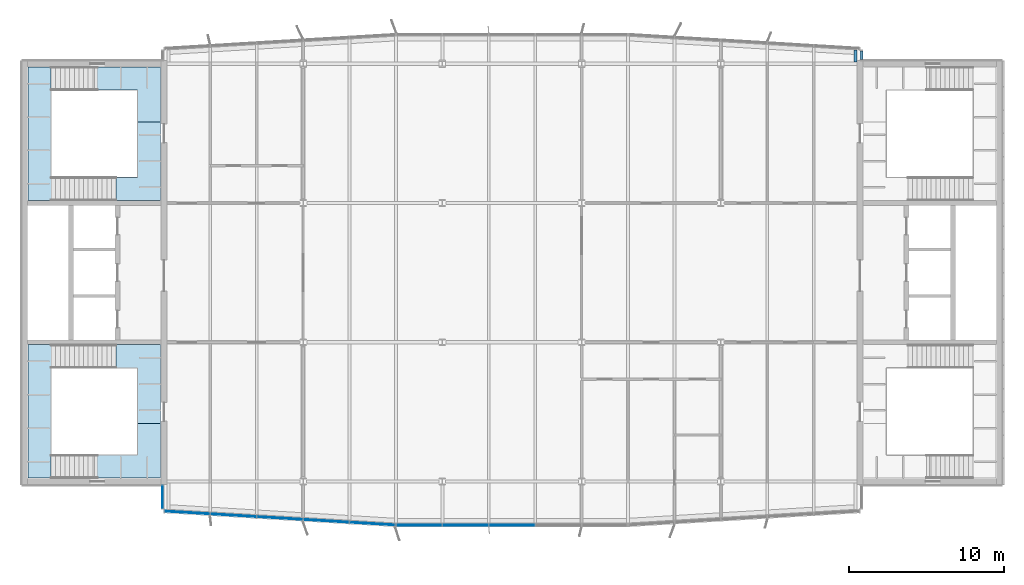
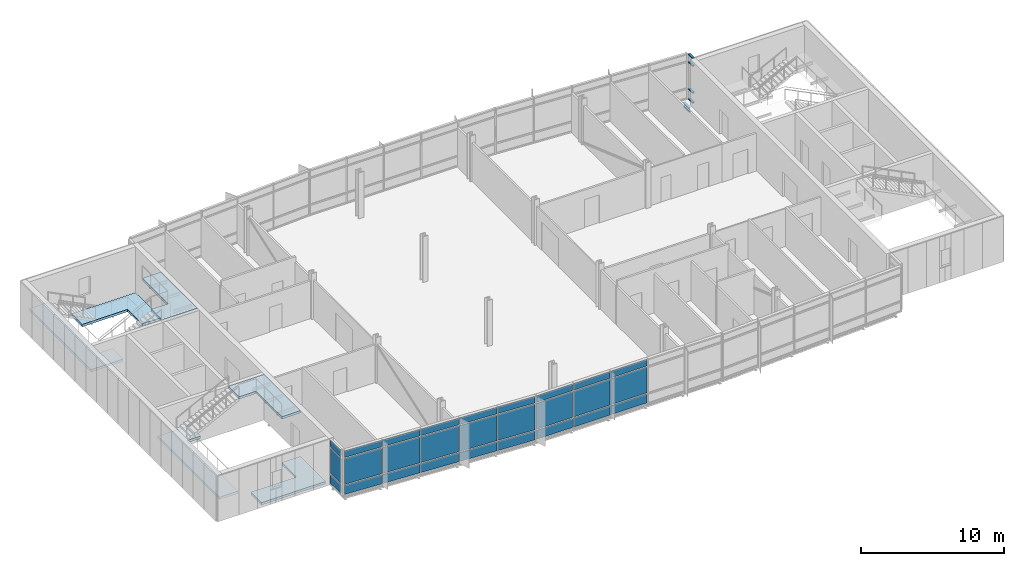
# One storey, part 10 of 21: 27 plates, 6 slabs, 4 members, 1 beam, 6 elements without a shape of their own.
"""IFC4 building model written with IfcOpenShell, lengths in metres."""

from ifc_helpers import new_model, si_unit, direction, frame, origin, origin_2d, place, context, subcontext, project, spatial, polyline, rectangle, i_section, outline, extrude, material, layer, layer_set, material_profile, profile_set, type_object, element, aggregate, save


model = new_model("IFC4")

# Units and contexts
model_context = context("Model", 3, precision=1e-05, world=origin(), true_north=direction((0.0, 1.0)))
body_context = subcontext(model_context, "Body", "Model", "MODEL_VIEW")
ifc_project = project(units=[si_unit("LENGTHUNIT", "METRE"), si_unit("AREAUNIT", "SQUARE_METRE"), si_unit("VOLUMEUNIT", "CUBIC_METRE"), si_unit("PLANEANGLEUNIT", "RADIAN"), si_unit("MASSUNIT", "GRAM", prefix="KILO")], contexts=[model_context])

# Site, building, storey
site_placement = place(None, origin())
site = spatial("IfcSite", under=ifc_project, at=site_placement, CompositionType="ELEMENT")
building_placement = place(site_placement, origin())
building = spatial("IfcBuilding", under=site, at=building_placement, Name="Azimuth Sports and Learning Centre", CompositionType="ELEMENT")
storey_placement = place(building_placement, frame((0.0, 0.0, 32.39990234375)))
storey = spatial("IfcBuildingStorey", under=building, at=storey_placement, Name="L06", CompositionType="ELEMENT", Elevation=32.39990234375)

# Beam
ifc_material_1 = material(Name="Steel S355", Category="steel")
ifc_material_profile_1 = material_profile(ifc_material_1, i_section(OverallWidth=0.179931640625, OverallDepth=0.39990234375, WebThickness=0.008544921875, FlangeThickness=0.013427734375, FilletRadius=0.02099609375, at=origin_2d()), Name="IPE 400")
ifc_profile_set_1 = profile_set([ifc_material_profile_1], Name="Steel S355")
beam_type = type_object("IfcBeamType", Name="Cantilever stub IPE 400", PredefinedType="JOIST", material=ifc_profile_set_1)
beam_placement = place(storey_placement, frame((107.7099609375, 117.110107421875, -0.329833984375), z_axis=(0.0, 1.0, 0.0), x_axis=(-1.0, 0.0, 0.0)))
element("IfcBeam", 1, at=beam_placement, inside=storey, type_object=beam_type, Name="Tower cantilever stub", PredefinedType="JOIST", context=body_context, shape_type="SweptSolid", body=[
    extrude(i_section(OverallWidth=0.179931640625, OverallDepth=0.39990234375, WebThickness=0.008544921875, FlangeThickness=0.013427734375, FilletRadius=0.02099609375, at=origin_2d()), origin(), (0.0, 0.0, 1.0), 0.787353515625),
])

# Curtain wall, members
ifc_material_2 = material(Name="Aluminium and glass", Category="aluminium")
curtain_wall_type_1 = type_object("IfcCurtainWallType", Name="Curtain wall tower return 180", PredefinedType="NOTDEFINED", material=ifc_material_2)
curtain_wall_1_placement = place(storey_placement, origin())
curtain_wall_1 = element("IfcCurtainWall", 2, at=curtain_wall_1_placement, inside=storey, type_object=curtain_wall_type_1, Name="Curtain wall CW06-006", PredefinedType="NOTDEFINED")
ifc_material_3 = material(Name="Aluminium", Category="aluminium")
ifc_material_profile_2 = material_profile(ifc_material_3, rectangle(XDim=0.179931640625, YDim=0.10009765625, at=origin_2d()), Name="Transom 100x180")
ifc_profile_set_2 = profile_set([ifc_material_profile_2], Name="Aluminium")
member_type = type_object("IfcMemberType", Name="Transom 100x180", PredefinedType="USERDEFINED", material=ifc_profile_set_2)
member_1_placement = place(storey_placement, frame((108.090087890625, 117.260009765625, 0.050048828125), z_axis=(0.0, 1.0, 0.0), x_axis=(-1.0, 0.0, 0.0)))
member_1 = element("IfcMember", 3, at=member_1_placement, type_object=member_type, Name="CW06-006 transom 1.1", ObjectType="TRANSOM", PredefinedType="USERDEFINED", context=body_context, shape_type="SweptSolid", body=[
    extrude(rectangle(XDim=0.179931640625, YDim=0.10009765625, at=origin_2d()), origin(), (0.0, 0.0, 1.0), 0.580078125),
])
member_2_placement = place(storey_placement, frame((108.090087890625, 117.260009765625, 0.900146484375), z_axis=(0.0, 1.0, 0.0), x_axis=(-1.0, 0.0, 0.0)))
member_2 = element("IfcMember", 4, at=member_2_placement, type_object=member_type, Name="CW06-006 transom 1.2", ObjectType="TRANSOM", PredefinedType="USERDEFINED", context=body_context, shape_type="SweptSolid", body=[
    extrude(rectangle(XDim=0.179931640625, YDim=0.10009765625, at=origin_2d()), origin(), (0.0, 0.0, 1.0), 0.580078125),
])
member_3_placement = place(storey_placement, frame((108.090087890625, 117.260009765625, 3.2001953125), z_axis=(0.0, 1.0, 0.0), x_axis=(-1.0, 0.0, 0.0)))
member_3 = element("IfcMember", 5, at=member_3_placement, type_object=member_type, Name="CW06-006 transom 1.3", ObjectType="TRANSOM", PredefinedType="USERDEFINED", context=body_context, shape_type="SweptSolid", body=[
    extrude(rectangle(XDim=0.179931640625, YDim=0.10009765625, at=origin_2d()), origin(), (0.0, 0.0, 1.0), 0.580078125),
])
member_4_placement = place(storey_placement, frame((108.090087890625, 117.260009765625, 3.85009765625), z_axis=(0.0, 1.0, 0.0), x_axis=(-1.0, 0.0, 0.0)))
member_4 = element("IfcMember", 6, at=member_4_placement, type_object=member_type, Name="CW06-006 transom 1.4", ObjectType="TRANSOM", PredefinedType="USERDEFINED", context=body_context, shape_type="SweptSolid", body=[
    extrude(rectangle(XDim=0.179931640625, YDim=0.10009765625, at=origin_2d()), origin(), (0.0, 0.0, 1.0), 0.580078125),
])
aggregate(curtain_wall_1, [member_1, member_2, member_3, member_4])

# Stair, slabs
ifc_material_4 = material(Name="Concrete C32/40", Category="concrete")
stair_type = type_object("IfcStairType", Name="Square-well stair core 3900 storey", PredefinedType="THREE_QUARTER_TURN_STAIR", material=ifc_material_4)
stair_1_placement = place(storey_placement, origin())
stair_1 = element("IfcStair", 7, at=stair_1_placement, inside=storey, type_object=stair_type, Name="Stair W1 L06-L07", PredefinedType="THREE_QUARTER_TURN_STAIR")
ifc_material_5 = material(Name="Concrete C32/40", Category="concrete")
ifc_layer_1 = layer(ifc_material_5, 0.199951171875)
ifc_layer_set_1 = layer_set([ifc_layer_1], Name="Concrete C32/40")
slab_type = type_object("IfcSlabType", Name="Concrete stair landing", PredefinedType="LANDING", material=ifc_layer_set_1)
slab_1_placement = place(storey_placement, frame((0.0, 0.0, -0.199951171875)))
slab_1 = element("IfcSlab", 8, at=slab_1_placement, type_object=slab_type, Name="Stair W1 L06 landing 1", PredefinedType="LANDING", context=body_context, shape_type="SweptSolid", body=[
    extrude(outline(polyline([(62.7900390625, 90.2099609375), (62.7900390625, 93.75), (61.2900390625, 93.75), (61.2900390625, 91.7099609375), (57.610107421875, 91.7099609375), (57.610107421875, 90.2099609375), (62.7900390625, 90.2099609375)])), origin(), (0.0, 0.0, 1.0), 0.199951171875),
])
slab_2_placement = place(storey_placement, frame((0.0, 0.0, 1.4501953125)))
slab_2 = element("IfcSlab", 9, at=slab_2_placement, type_object=slab_type, Name="Stair W1 L06 landing 2", PredefinedType="LANDING", context=body_context, shape_type="SweptSolid", body=[
    extrude(outline(polyline([(55.7099609375, 91.7099609375), (55.7099609375, 97.340087890625), (56.81005859375, 97.340087890625), (56.81005859375, 98.840087890625), (54.2099609375, 98.840087890625), (54.2099609375, 90.2099609375), (55.710693359375, 90.2099609375), (55.710693359375, 91.7099609375), (55.7099609375, 91.7099609375)])), origin(), (0.0, 0.0, 1.0), 0.199951171875),
])
slab_3_placement = place(storey_placement, frame((0.0, 0.0, 3.7001953125)))
slab_3 = element("IfcSlab", 10, at=slab_3_placement, type_object=slab_type, Name="Stair W1 L06 landing 3", PredefinedType="LANDING", context=body_context, shape_type="SweptSolid", body=[
    extrude(outline(polyline([(61.2900390625, 97.340087890625), (61.2900390625, 93.75), (62.7900390625, 93.75), (62.7900390625, 98.840087890625), (59.9091796875, 98.840087890625), (59.9091796875, 97.340087890625), (61.2900390625, 97.340087890625)])), origin(), (0.0, 0.0, 1.0), 0.199951171875),
])
aggregate(stair_1, [slab_1, slab_2, slab_3])

stair_2_placement = place(storey_placement, origin())
stair_2 = element("IfcStair", 11, at=stair_2_placement, inside=storey, type_object=stair_type, Name="Stair W2 L06-L07", PredefinedType="THREE_QUARTER_TURN_STAIR")
slab_4_placement = place(storey_placement, frame((0.0, 0.0, -0.199951171875)))
slab_4 = element("IfcSlab", 12, at=slab_4_placement, type_object=slab_type, Name="Stair W2 L06 landing 1", PredefinedType="LANDING", context=body_context, shape_type="SweptSolid", body=[
    extrude(outline(polyline([(57.610107421875, 115.2900390625), (61.2900390625, 115.2900390625), (61.2900390625, 113.25), (62.7900390625, 113.25), (62.7900390625, 116.7900390625), (57.610107421875, 116.7900390625), (57.610107421875, 115.2900390625)])), origin(), (0.0, 0.0, 1.0), 0.199951171875),
])
slab_5_placement = place(storey_placement, frame((0.0, 0.0, 1.4501953125)))
slab_5 = element("IfcSlab", 13, at=slab_5_placement, type_object=slab_type, Name="Stair W2 L06 landing 2", PredefinedType="LANDING", context=body_context, shape_type="SweptSolid", body=[
    extrude(outline(polyline([(55.7099609375, 115.2900390625), (55.710693359375, 115.2900390625), (55.710693359375, 116.7900390625), (54.2099609375, 116.7900390625), (54.2099609375, 108.159912109375), (56.81005859375, 108.159912109375), (56.81005859375, 109.659912109375), (55.7099609375, 109.659912109375), (55.7099609375, 115.2900390625)])), origin(), (0.0, 0.0, 1.0), 0.199951171875),
])
slab_6_placement = place(storey_placement, frame((0.0, 0.0, 3.7001953125)))
slab_6 = element("IfcSlab", 14, at=slab_6_placement, type_object=slab_type, Name="Stair W2 L06 landing 3", PredefinedType="LANDING", context=body_context, shape_type="SweptSolid", body=[
    extrude(outline(polyline([(61.2900390625, 109.659912109375), (59.9091796875, 109.659912109375), (59.9091796875, 108.159912109375), (62.7900390625, 108.159912109375), (62.7900390625, 113.25), (61.2900390625, 113.25), (61.2900390625, 109.659912109375)])), origin(), (0.0, 0.0, 1.0), 0.199951171875),
])
aggregate(stair_2, [slab_4, slab_5, slab_6])

# Curtain wall, plates
curtain_wall_2_placement = place(storey_placement, origin())
curtain_wall_2 = element("IfcCurtainWall", 15, at=curtain_wall_2_placement, inside=storey, type_object=curtain_wall_type_1, Name="Curtain wall CW06-001", PredefinedType="NOTDEFINED")
ifc_material_6 = material(Name="Insulated aluminium panel", Category="aluminium")
ifc_layer_2 = layer(ifc_material_6, 0.050048828125)
ifc_layer_set_2 = layer_set([ifc_layer_2], Name="Insulated aluminium panel")
plate_type_1 = type_object("IfcPlateType", Name="Spandrel panel 50 mm", PredefinedType="CURTAIN_PANEL", material=ifc_layer_set_2)
plate_1_placement = place(storey_placement, frame((62.909912109375, 89.0, 0.10009765625), z_axis=(0.0, 0.0, 1.0), x_axis=(0.0, -1.0, 0.0)))
plate_1 = element("IfcPlate", 16, at=plate_1_placement, type_object=plate_type_1, Name="CW06-001 panel 1.1", PredefinedType="CURTAIN_PANEL", context=body_context, shape_type="SweptSolid", body=[
    extrude(rectangle(XDim=1.47998046875, YDim=0.050048828125, at=origin_2d()), origin(), (0.0, 0.0, 1.0), 0.75),
])
plate_2_placement = place(storey_placement, frame((62.909912109375, 89.0, 3.25), z_axis=(0.0, 0.0, 1.0), x_axis=(0.0, -1.0, 0.0)))
plate_2 = element("IfcPlate", 17, at=plate_2_placement, type_object=plate_type_1, Name="CW06-001 panel 1.3", PredefinedType="CURTAIN_PANEL", context=body_context, shape_type="SweptSolid", body=[
    extrude(rectangle(XDim=1.47998046875, YDim=0.050048828125, at=origin_2d()), origin(), (0.0, 0.0, 1.0), 0.550048828125),
])

ifc_material_7 = material(Name="Aluminium and glass", Category="aluminium")
curtain_wall_type_2 = type_object("IfcCurtainWallType", Name="Curtain wall tower south 240", PredefinedType="NOTDEFINED", material=ifc_material_7)
curtain_wall_3_placement = place(storey_placement, origin())
curtain_wall_3 = element("IfcCurtainWall", 18, at=curtain_wall_3_placement, inside=storey, type_object=curtain_wall_type_2, Name="Curtain wall CW06-002", PredefinedType="NOTDEFINED")
plate_3_placement = place(storey_placement, frame((64.51025390625, 87.9892578125, 0.10009765625), z_axis=(0.0, 0.0, 1.0), x_axis=(0.998204863401, -0.059891991812, 0.0)))
plate_3 = element("IfcPlate", 19, at=plate_3_placement, type_object=plate_type_1, Name="CW06-002 panel 1.1", PredefinedType="CURTAIN_PANEL", context=body_context, shape_type="SweptSolid", body=[
    extrude(rectangle(XDim=2.900390625, YDim=0.050048828125, at=origin_2d()), origin(), (0.0, 0.0, 1.0), 0.75),
])
plate_4_placement = place(storey_placement, frame((64.51025390625, 87.9892578125, 3.25), z_axis=(0.0, 0.0, 1.0), x_axis=(0.998204863401, -0.059891991812, 0.0)))
plate_4 = element("IfcPlate", 20, at=plate_4_placement, type_object=plate_type_1, Name="CW06-002 panel 1.3", PredefinedType="CURTAIN_PANEL", context=body_context, shape_type="SweptSolid", body=[
    extrude(rectangle(XDim=2.900390625, YDim=0.050048828125, at=origin_2d()), origin(), (0.0, 0.0, 1.0), 0.550048828125),
])
plate_5_placement = place(storey_placement, frame((67.492919921875, 87.810302734375, 0.10009765625), z_axis=(0.0, 0.0, 1.0), x_axis=(0.998204863401, -0.059891991812, 0.0)))
plate_5 = element("IfcPlate", 21, at=plate_5_placement, type_object=plate_type_1, Name="CW06-002 panel 2.1", PredefinedType="CURTAIN_PANEL", context=body_context, shape_type="SweptSolid", body=[
    extrude(rectangle(XDim=2.935302734375, YDim=0.050048828125, at=origin_2d()), origin(), (0.0, 0.0, 1.0), 0.75),
])
plate_6_placement = place(storey_placement, frame((67.492919921875, 87.810302734375, 3.25), z_axis=(0.0, 0.0, 1.0), x_axis=(0.998204863401, -0.059891991812, 0.0)))
plate_6 = element("IfcPlate", 22, at=plate_6_placement, type_object=plate_type_1, Name="CW06-002 panel 2.3", PredefinedType="CURTAIN_PANEL", context=body_context, shape_type="SweptSolid", body=[
    extrude(rectangle(XDim=2.935302734375, YDim=0.050048828125, at=origin_2d()), origin(), (0.0, 0.0, 1.0), 0.550048828125),
])
plate_7_placement = place(storey_placement, frame((70.492919921875, 87.630126953125, 0.10009765625), z_axis=(0.0, 0.0, 1.0), x_axis=(0.998204863401, -0.059891991812, 0.0)))
plate_7 = element("IfcPlate", 23, at=plate_7_placement, type_object=plate_type_1, Name="CW06-002 panel 3.1", PredefinedType="CURTAIN_PANEL", context=body_context, shape_type="SweptSolid", body=[
    extrude(rectangle(XDim=2.935302734375, YDim=0.050048828125, at=origin_2d()), origin(), (0.0, 0.0, 1.0), 0.75),
])
plate_8_placement = place(storey_placement, frame((70.492919921875, 87.630126953125, 3.25), z_axis=(0.0, 0.0, 1.0), x_axis=(0.998204863401, -0.059891991812, 0.0)))
plate_8 = element("IfcPlate", 24, at=plate_8_placement, type_object=plate_type_1, Name="CW06-002 panel 3.3", PredefinedType="CURTAIN_PANEL", context=body_context, shape_type="SweptSolid", body=[
    extrude(rectangle(XDim=2.935302734375, YDim=0.050048828125, at=origin_2d()), origin(), (0.0, 0.0, 1.0), 0.550048828125),
])
plate_9_placement = place(storey_placement, frame((73.492919921875, 87.4501953125, 0.10009765625), z_axis=(0.0, 0.0, 1.0), x_axis=(0.998204863401, -0.059891991812, 0.0)))
plate_9 = element("IfcPlate", 25, at=plate_9_placement, type_object=plate_type_1, Name="CW06-002 panel 4.1", PredefinedType="CURTAIN_PANEL", context=body_context, shape_type="SweptSolid", body=[
    extrude(rectangle(XDim=2.935302734375, YDim=0.050048828125, at=origin_2d()), origin(), (0.0, 0.0, 1.0), 0.75),
])
plate_10_placement = place(storey_placement, frame((73.492919921875, 87.4501953125, 3.25), z_axis=(0.0, 0.0, 1.0), x_axis=(0.998204863401, -0.059891991812, 0.0)))
plate_10 = element("IfcPlate", 26, at=plate_10_placement, type_object=plate_type_1, Name="CW06-002 panel 4.3", PredefinedType="CURTAIN_PANEL", context=body_context, shape_type="SweptSolid", body=[
    extrude(rectangle(XDim=2.935302734375, YDim=0.050048828125, at=origin_2d()), origin(), (0.0, 0.0, 1.0), 0.550048828125),
])
plate_11_placement = place(storey_placement, frame((76.475341796875, 87.271240234375, 0.10009765625), z_axis=(0.0, 0.0, 1.0), x_axis=(0.998204863401, -0.059891991812, 0.0)))
plate_11 = element("IfcPlate", 27, at=plate_11_placement, type_object=plate_type_1, Name="CW06-002 panel 5.1", PredefinedType="CURTAIN_PANEL", context=body_context, shape_type="SweptSolid", body=[
    extrude(rectangle(XDim=2.900390625, YDim=0.050048828125, at=origin_2d()), origin(), (0.0, 0.0, 1.0), 0.75),
])
plate_12_placement = place(storey_placement, frame((76.475341796875, 87.271240234375, 3.25), z_axis=(0.0, 0.0, 1.0), x_axis=(0.998204863401, -0.059891991812, 0.0)))
plate_12 = element("IfcPlate", 28, at=plate_12_placement, type_object=plate_type_1, Name="CW06-002 panel 5.3", PredefinedType="CURTAIN_PANEL", context=body_context, shape_type="SweptSolid", body=[
    extrude(rectangle(XDim=2.900390625, YDim=0.050048828125, at=origin_2d()), origin(), (0.0, 0.0, 1.0), 0.550048828125),
])

curtain_wall_4_placement = place(storey_placement, origin())
curtain_wall_4 = element("IfcCurtainWall", 29, at=curtain_wall_4_placement, inside=storey, type_object=curtain_wall_type_2, Name="Curtain wall CW06-003", PredefinedType="NOTDEFINED")
plate_13_placement = place(storey_placement, frame((79.513916015625, 87.179931640625, 0.10009765625), z_axis=(0.0, 0.0, 1.0), x_axis=(1.0, 0.0, 0.0)))
plate_13 = element("IfcPlate", 30, at=plate_13_placement, type_object=plate_type_1, Name="CW06-003 panel 1.1", PredefinedType="CURTAIN_PANEL", context=body_context, shape_type="SweptSolid", body=[
    extrude(rectangle(XDim=2.902099609375, YDim=0.050048828125, at=origin_2d()), origin(), (0.0, 0.0, 1.0), 0.75),
])
plate_14_placement = place(storey_placement, frame((79.513916015625, 87.179931640625, 3.25), z_axis=(0.0, 0.0, 1.0), x_axis=(1.0, 0.0, 0.0)))
plate_14 = element("IfcPlate", 31, at=plate_14_placement, type_object=plate_type_1, Name="CW06-003 panel 1.3", PredefinedType="CURTAIN_PANEL", context=body_context, shape_type="SweptSolid", body=[
    extrude(rectangle(XDim=2.902099609375, YDim=0.050048828125, at=origin_2d()), origin(), (0.0, 0.0, 1.0), 0.550048828125),
])
plate_15_placement = place(storey_placement, frame((82.5, 87.179931640625, 0.10009765625), z_axis=(0.0, 0.0, 1.0), x_axis=(1.0, 0.0, 0.0)))
plate_15 = element("IfcPlate", 32, at=plate_15_placement, type_object=plate_type_1, Name="CW06-003 panel 2.1", PredefinedType="CURTAIN_PANEL", context=body_context, shape_type="SweptSolid", body=[
    extrude(rectangle(XDim=2.929931640625, YDim=0.050048828125, at=origin_2d()), origin(), (0.0, 0.0, 1.0), 0.75),
])
plate_16_placement = place(storey_placement, frame((82.5, 87.179931640625, 3.25), z_axis=(0.0, 0.0, 1.0), x_axis=(1.0, 0.0, 0.0)))
plate_16 = element("IfcPlate", 33, at=plate_16_placement, type_object=plate_type_1, Name="CW06-003 panel 2.3", PredefinedType="CURTAIN_PANEL", context=body_context, shape_type="SweptSolid", body=[
    extrude(rectangle(XDim=2.929931640625, YDim=0.050048828125, at=origin_2d()), origin(), (0.0, 0.0, 1.0), 0.550048828125),
])
plate_17_placement = place(storey_placement, frame((85.5, 87.179931640625, 0.10009765625), z_axis=(0.0, 0.0, 1.0), x_axis=(1.0, 0.0, 0.0)))
plate_17 = element("IfcPlate", 34, at=plate_17_placement, type_object=plate_type_1, Name="CW06-003 panel 3.1", PredefinedType="CURTAIN_PANEL", context=body_context, shape_type="SweptSolid", body=[
    extrude(rectangle(XDim=2.929931640625, YDim=0.050048828125, at=origin_2d()), origin(), (0.0, 0.0, 1.0), 0.75),
])
plate_18_placement = place(storey_placement, frame((85.5, 87.179931640625, 3.25), z_axis=(0.0, 0.0, 1.0), x_axis=(1.0, 0.0, 0.0)))
plate_18 = element("IfcPlate", 35, at=plate_18_placement, type_object=plate_type_1, Name="CW06-003 panel 3.3", PredefinedType="CURTAIN_PANEL", context=body_context, shape_type="SweptSolid", body=[
    extrude(rectangle(XDim=2.929931640625, YDim=0.050048828125, at=origin_2d()), origin(), (0.0, 0.0, 1.0), 0.550048828125),
])

# Plate
ifc_material_8 = material(Name="Glass", Category="glass")
ifc_layer_3 = layer(ifc_material_8, 0.031982421875)
ifc_layer_set_3 = layer_set([ifc_layer_3], Name="Glass")
plate_type_2 = type_object("IfcPlateType", Name="Vision glass 32 mm", PredefinedType="CURTAIN_PANEL", material=ifc_layer_set_3)
plate_19_placement = place(storey_placement, frame((62.909912109375, 89.0, 0.9501953125), z_axis=(0.0, 0.0, 1.0), x_axis=(0.0, -1.0, 0.0)))
plate_19 = element("IfcPlate", 36, at=plate_19_placement, type_object=plate_type_2, Name="CW06-001 panel 1.2", PredefinedType="CURTAIN_PANEL", context=body_context, shape_type="SweptSolid", body=[
    extrude(rectangle(XDim=1.47998046875, YDim=0.031982421875, at=origin_2d()), origin(), (0.0, 0.0, 1.0), 2.199951171875),
])

aggregate(curtain_wall_2, [plate_1, plate_19, plate_2])

plate_20_placement = place(storey_placement, frame((64.51025390625, 87.9892578125, 0.9501953125), z_axis=(0.0, 0.0, 1.0), x_axis=(0.998204863401, -0.059891991812, 0.0)))
plate_20 = element("IfcPlate", 37, at=plate_20_placement, type_object=plate_type_2, Name="CW06-002 panel 1.2", PredefinedType="CURTAIN_PANEL", context=body_context, shape_type="SweptSolid", body=[
    extrude(rectangle(XDim=2.900390625, YDim=0.031982421875, at=origin_2d()), origin(), (0.0, 0.0, 1.0), 2.199951171875),
])

plate_21_placement = place(storey_placement, frame((67.492919921875, 87.810302734375, 0.9501953125), z_axis=(0.0, 0.0, 1.0), x_axis=(0.998204863401, -0.059891991812, 0.0)))
plate_21 = element("IfcPlate", 38, at=plate_21_placement, type_object=plate_type_2, Name="CW06-002 panel 2.2", PredefinedType="CURTAIN_PANEL", context=body_context, shape_type="SweptSolid", body=[
    extrude(rectangle(XDim=2.935302734375, YDim=0.031982421875, at=origin_2d()), origin(), (0.0, 0.0, 1.0), 2.199951171875),
])

plate_22_placement = place(storey_placement, frame((70.492919921875, 87.630126953125, 0.9501953125), z_axis=(0.0, 0.0, 1.0), x_axis=(0.998204863401, -0.059891991812, 0.0)))
plate_22 = element("IfcPlate", 39, at=plate_22_placement, type_object=plate_type_2, Name="CW06-002 panel 3.2", PredefinedType="CURTAIN_PANEL", context=body_context, shape_type="SweptSolid", body=[
    extrude(rectangle(XDim=2.935302734375, YDim=0.031982421875, at=origin_2d()), origin(), (0.0, 0.0, 1.0), 2.199951171875),
])

plate_23_placement = place(storey_placement, frame((73.492919921875, 87.4501953125, 0.9501953125), z_axis=(0.0, 0.0, 1.0), x_axis=(0.998204863401, -0.059891991812, 0.0)))
plate_23 = element("IfcPlate", 40, at=plate_23_placement, type_object=plate_type_2, Name="CW06-002 panel 4.2", PredefinedType="CURTAIN_PANEL", context=body_context, shape_type="SweptSolid", body=[
    extrude(rectangle(XDim=2.935302734375, YDim=0.031982421875, at=origin_2d()), origin(), (0.0, 0.0, 1.0), 2.199951171875),
])

plate_24_placement = place(storey_placement, frame((76.475341796875, 87.271240234375, 0.9501953125), z_axis=(0.0, 0.0, 1.0), x_axis=(0.998204863401, -0.059891991812, 0.0)))
plate_24 = element("IfcPlate", 41, at=plate_24_placement, type_object=plate_type_2, Name="CW06-002 panel 5.2", PredefinedType="CURTAIN_PANEL", context=body_context, shape_type="SweptSolid", body=[
    extrude(rectangle(XDim=2.900390625, YDim=0.031982421875, at=origin_2d()), origin(), (0.0, 0.0, 1.0), 2.199951171875),
])

aggregate(curtain_wall_3, [plate_3, plate_20, plate_4, plate_5, plate_21, plate_6, plate_7, plate_22, plate_8, plate_9, plate_23, plate_10, plate_11, plate_24, plate_12])

plate_25_placement = place(storey_placement, frame((79.513916015625, 87.179931640625, 0.9501953125), z_axis=(0.0, 0.0, 1.0), x_axis=(1.0, 0.0, 0.0)))
plate_25 = element("IfcPlate", 42, at=plate_25_placement, type_object=plate_type_2, Name="CW06-003 panel 1.2", PredefinedType="CURTAIN_PANEL", context=body_context, shape_type="SweptSolid", body=[
    extrude(rectangle(XDim=2.902099609375, YDim=0.031982421875, at=origin_2d()), origin(), (0.0, 0.0, 1.0), 2.199951171875),
])

plate_26_placement = place(storey_placement, frame((82.5, 87.179931640625, 0.9501953125), z_axis=(0.0, 0.0, 1.0), x_axis=(1.0, 0.0, 0.0)))
plate_26 = element("IfcPlate", 43, at=plate_26_placement, type_object=plate_type_2, Name="CW06-003 panel 2.2", PredefinedType="CURTAIN_PANEL", context=body_context, shape_type="SweptSolid", body=[
    extrude(rectangle(XDim=2.929931640625, YDim=0.031982421875, at=origin_2d()), origin(), (0.0, 0.0, 1.0), 2.199951171875),
])

plate_27_placement = place(storey_placement, frame((85.5, 87.179931640625, 0.9501953125), z_axis=(0.0, 0.0, 1.0), x_axis=(1.0, 0.0, 0.0)))
plate_27 = element("IfcPlate", 44, at=plate_27_placement, type_object=plate_type_2, Name="CW06-003 panel 3.2", PredefinedType="CURTAIN_PANEL", context=body_context, shape_type="SweptSolid", body=[
    extrude(rectangle(XDim=2.929931640625, YDim=0.031982421875, at=origin_2d()), origin(), (0.0, 0.0, 1.0), 2.199951171875),
])

aggregate(curtain_wall_4, [plate_13, plate_25, plate_14, plate_15, plate_26, plate_16, plate_17, plate_27, plate_18])

save(model, "model.ifc")
